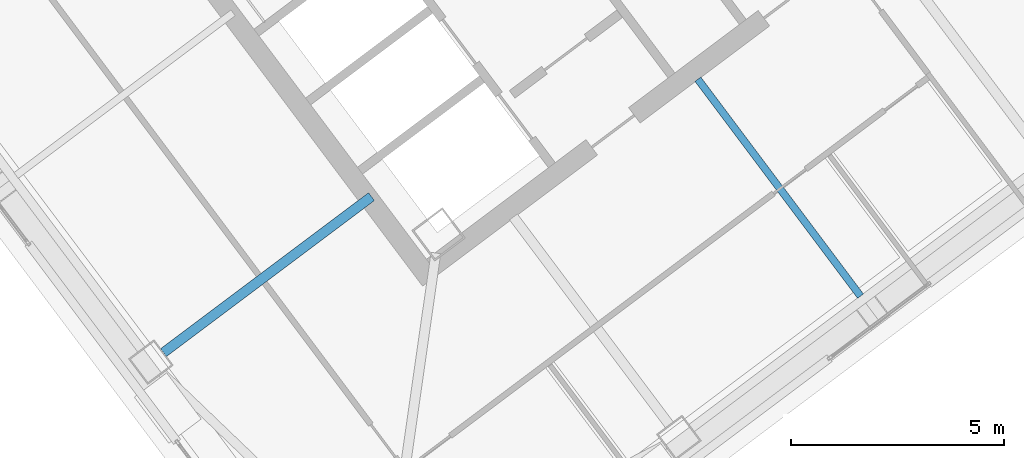
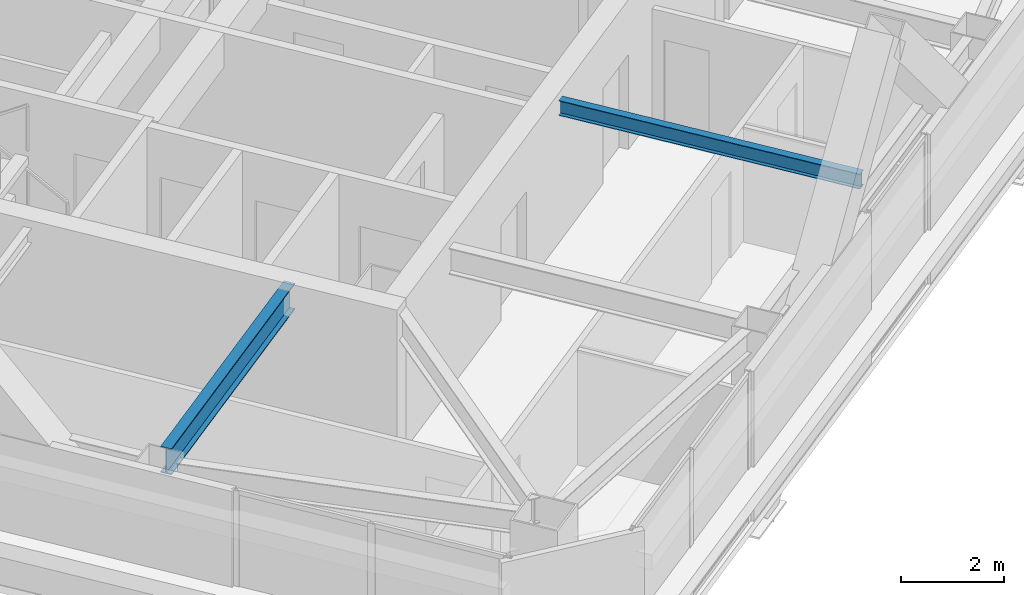
# One storey, part 20 of 39: 2 beams.
"""IFC4 building model written with IfcOpenShell, lengths in metres."""

from ifc_helpers import new_model, si_unit, direction, frame, origin, origin_2d, place, context, subcontext, project, spatial, i_section, extrude, material, material_profile, profile_set, type_object, element, save


model = new_model("IFC4")

# Units and contexts
model_context = context("Model", 3, precision=1e-05, world=origin(), true_north=direction((0.0, 1.0)))
body_context = subcontext(model_context, "Body", "Model", "MODEL_VIEW")
ifc_project = project(units=[si_unit("LENGTHUNIT", "METRE"), si_unit("AREAUNIT", "SQUARE_METRE"), si_unit("VOLUMEUNIT", "CUBIC_METRE"), si_unit("PLANEANGLEUNIT", "RADIAN"), si_unit("MASSUNIT", "GRAM", prefix="KILO")], contexts=[model_context])

# Site, building, storey
site_placement = place(None, origin())
site = spatial("IfcSite", under=ifc_project, at=site_placement, CompositionType="ELEMENT")
building_placement = place(site_placement, origin())
building = spatial("IfcBuilding", under=site, at=building_placement, Name="Tashvorn Skyway Center", CompositionType="ELEMENT")
storey_placement = place(building_placement, frame((0.0, 0.0, 239.699951171875)))
storey = spatial("IfcBuildingStorey", under=building, at=storey_placement, Name="L65", CompositionType="ELEMENT", Elevation=239.699951171875)

# Beams
ifc_material = material(Name="Steel ASTM A992 Grade 50", Category="steel")
ifc_material_profile_1 = material_profile(ifc_material, i_section(OverallWidth=0.22998046875, OverallDepth=0.616943359375, WebThickness=0.01318359375, FlangeThickness=0.022216796875, at=origin_2d()), Name="W24X94")
ifc_profile_set_1 = profile_set([ifc_material_profile_1], Name="Steel ASTM A992 Grade 50")
beam_type_1 = type_object("IfcBeamType", Name="BM-BEAM-W24X94", PredefinedType="BEAM", material=ifc_profile_set_1)
beam_1_placement = place(storey_placement, frame((106.135986328125, 19.35205078125, 3.0615234375), z_axis=(0.800014407953, 0.599980788915, 0.0), x_axis=(-0.599980788915, 0.800014407953, 0.0)))
element("IfcBeam", 1, at=beam_1_placement, inside=storey, type_object=beam_type_1, Name="Tower 2 L65 Primary Floor Girder FC-W2", PredefinedType="BEAM", context=body_context, shape_type="SweptSolid", body=[
    extrude(i_section(OverallWidth=0.22998046875, OverallDepth=0.616943359375, WebThickness=0.01318359375, FlangeThickness=0.022216796875, at=origin_2d()), origin(), (0.0, 0.0, 1.0), 6.10009765625),
])
ifc_material_profile_2 = material_profile(ifc_material, i_section(OverallWidth=0.1708984375, OverallDepth=0.35498046875, WebThickness=0.007080078125, FlangeThickness=0.01171875, at=origin_2d()), Name="W14X34")
ifc_profile_set_2 = profile_set([ifc_material_profile_2], Name="Steel ASTM A992 Grade 50")
beam_type_2 = type_object("IfcBeamType", Name="BM-JOIST-W14X34", PredefinedType="JOIST", material=ifc_profile_set_2)
beam_2_placement = place(storey_placement, frame((118.674072265625, 25.76806640625, 3.192626953125), z_axis=(0.599981581373, -0.800013813639, 0.0), x_axis=(0.800013813639, 0.599981581373, 0.0)))
element("IfcBeam", 2, at=beam_2_placement, inside=storey, type_object=beam_type_2, Name="Tower 2 L65 Secondary Composite Joist JS", PredefinedType="JOIST", context=body_context, shape_type="SweptSolid", body=[
    extrude(i_section(OverallWidth=0.1708984375, OverallDepth=0.35498046875, WebThickness=0.007080078125, FlangeThickness=0.01171875, at=origin_2d()), origin(), (0.0, 0.0, 1.0), 6.362548828125),
])

save(model, "model.ifc")
